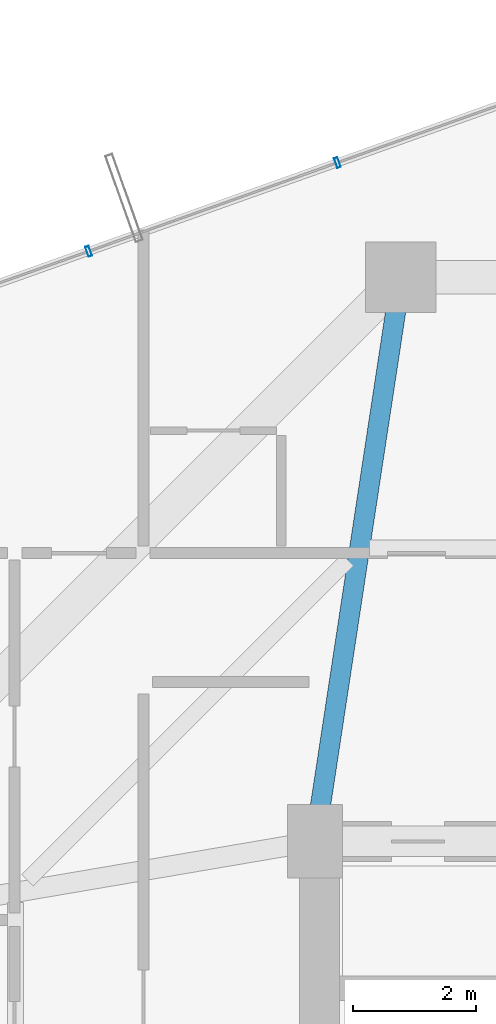
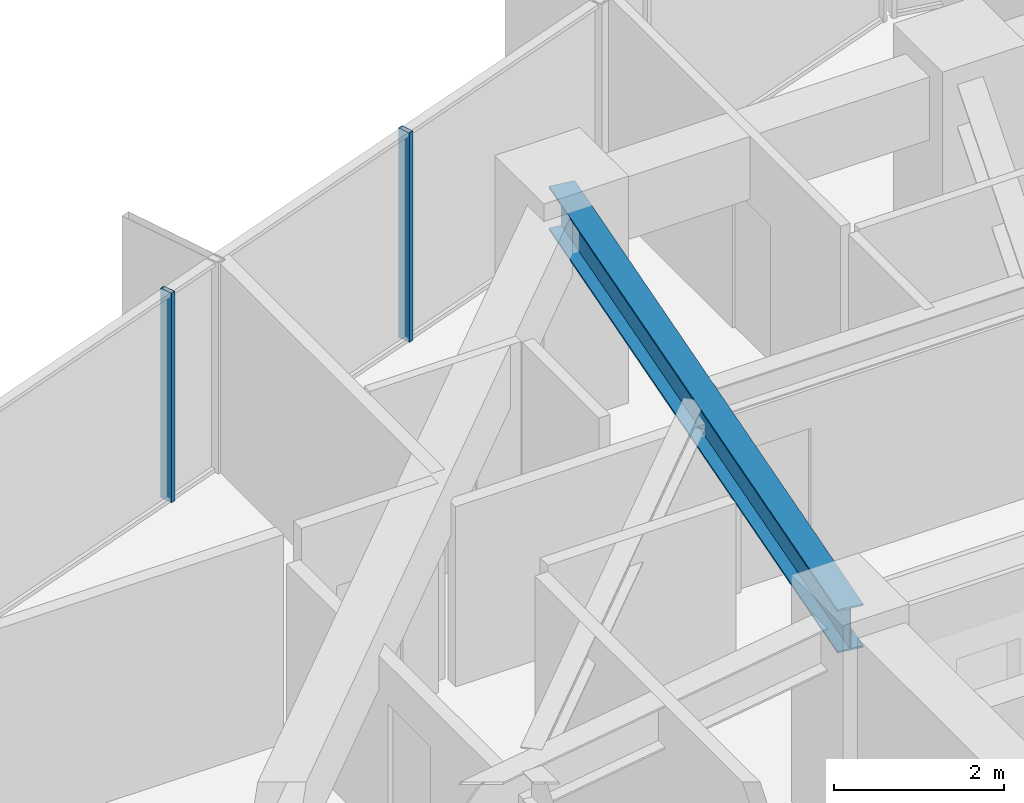
# One storey, part 21 of 33: 2 members, 1 beam, 1 element without a shape of its own.
"""IFC4 building model written with IfcOpenShell, lengths in metres."""

from ifc_helpers import new_model, si_unit, direction, frame, origin, origin_2d, place, context, subcontext, project, spatial, hollow_rectangle, i_section, extrude, source, transform, mapped, material, layer, layer_set, material_profile, profile_set, type_object, element, aggregate, save


model = new_model("IFC4")

# Units and contexts
model_context = context("Model", 3, precision=1e-05, world=origin(), true_north=direction((0.0, 1.0)))
body_context = subcontext(model_context, "Body", "Model", "MODEL_VIEW")
ifc_project = project(units=[si_unit("LENGTHUNIT", "METRE"), si_unit("AREAUNIT", "SQUARE_METRE"), si_unit("VOLUMEUNIT", "CUBIC_METRE"), si_unit("PLANEANGLEUNIT", "RADIAN"), si_unit("MASSUNIT", "GRAM", prefix="KILO")], contexts=[model_context])

# Site, building, storey
site_placement = place(None, origin())
site = spatial("IfcSite", under=ifc_project, at=site_placement, CompositionType="ELEMENT")
building_placement = place(site_placement, origin())
building = spatial("IfcBuilding", under=site, at=building_placement, Name="Veraguas Prism Commons", CompositionType="ELEMENT")
storey_placement = place(building_placement, frame((0.0, 0.0, 92.699951171875)))
storey = spatial("IfcBuildingStorey", under=building, at=storey_placement, Name="L25", CompositionType="ELEMENT", Elevation=92.699951171875)

# Beam
ifc_material_1 = material(Name="Steel ASTM A992 Grade 50", Category="steel")
ifc_material_profile_1 = material_profile(ifc_material_1, i_section(OverallWidth=0.327880859375, OverallDepth=0.6220703125, WebThickness=0.015380859375, FlangeThickness=0.0244140625, at=origin_2d()), Name="W610X195")
ifc_profile_set_1 = profile_set([ifc_material_profile_1], Name="Steel ASTM A992 Grade 50")
beam_type = type_object("IfcBeamType", Name="Zone 2 Radial Girder W610x195", PredefinedType="BEAM", material=ifc_profile_set_1)
beam_placement = place(storey_placement, frame((18.60009765625, 40.199951171875, 2.68896484375), z_axis=(-0.150458162136, -0.98861637729, 0.0), x_axis=(0.98861637729, -0.150458162136, 0.0)))
element("IfcBeam", 1, at=beam_placement, inside=storey, type_object=beam_type, Name="Radial Floor Girder L25-RD06", PredefinedType="BEAM", context=body_context, shape_type="SweptSolid", body=[
    extrude(i_section(OverallWidth=0.327880859375, OverallDepth=0.6220703125, WebThickness=0.015380859375, FlangeThickness=0.0244140625, at=origin_2d()), origin(), (0.0, 0.0, 1.0), 9.305908203125),
])

# Curtain wall, members
ifc_material_2 = material(Name="Anodised aluminium EN AW-6063 T6", Category="aluminium")
ifc_layer = layer(ifc_material_2, 0.169921875, Name="Unitised Flush Curtain Wall Zone 2", Category="aluminium")
ifc_layer_set = layer_set([ifc_layer], Name="Anodised aluminium EN AW-6063 T6")
curtain_wall_type = type_object("IfcCurtainWallType", Name="Unitised Flush Curtain Wall Zone 2", PredefinedType="NOTDEFINED", material=ifc_layer_set)
curtain_wall_placement = place(storey_placement, origin())
curtain_wall = element("IfcCurtainWall", 2, at=curtain_wall_placement, inside=storey, type_object=curtain_wall_type, Name="Tower Facade Curtain Wall L25-F2", PredefinedType="NOTDEFINED")
ifc_material_profile_2 = material_profile(ifc_material_2, hollow_rectangle(XDim=0.06005859375, YDim=0.169921875, WallThickness=0.00390625, at=origin_2d()), Name="AL60X170X4")
ifc_profile_set_2 = profile_set([ifc_material_profile_2], Name="Anodised aluminium EN AW-6063 T6")
member_type = type_object("IfcMemberType", Name="Curtain Wall Mullion Lower AL 60x170x4", PredefinedType="MULLION", material=ifc_profile_set_2)
shared_shape = source(origin(), body_context, "Body", "SweptSolid", [
    extrude(hollow_rectangle(XDim=0.06005859375, YDim=0.169921875, WallThickness=0.00390625, at=origin_2d()), origin(), (0.0, 0.0, 1.0), 3.0),
])
member_1_placement = place(storey_placement, frame((17.565185546875, 42.071044921875, 0.0), z_axis=(0.0, 0.0, 1.0), x_axis=(-0.942055696354, -0.335456502347, 0.0)))
member_1 = element("IfcMember", 3, at=member_1_placement, type_object=member_type, Name="CW-Z2 Mullion 3", PredefinedType="MULLION", context=body_context, shape_type="MappedRepresentation", body=[
    mapped(shared_shape, transform((0.0, 0.0, 0.0), scale=1.0)),
])
member_2_placement = place(storey_placement, frame((13.50634765625, 40.625732421875, 0.0), z_axis=(0.0, 0.0, 1.0), x_axis=(-0.942055696354, -0.335456502347, 0.0)))
member_2 = element("IfcMember", 4, at=member_2_placement, type_object=member_type, Name="CW-Z2 Mullion 4", PredefinedType="MULLION", context=body_context, shape_type="MappedRepresentation", body=[
    mapped(shared_shape, transform((0.0, 0.0, 0.0), scale=1.0)),
])
aggregate(curtain_wall, [member_1, member_2])

save(model, "model.ifc")
